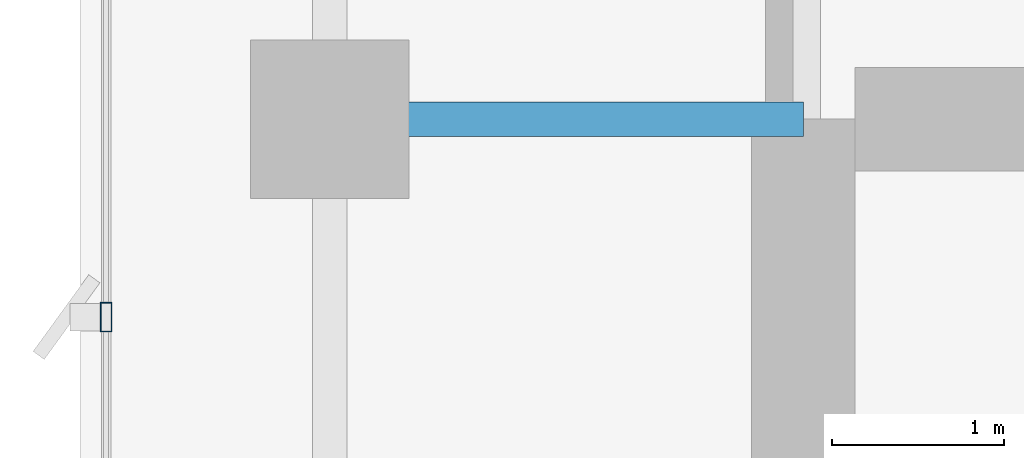
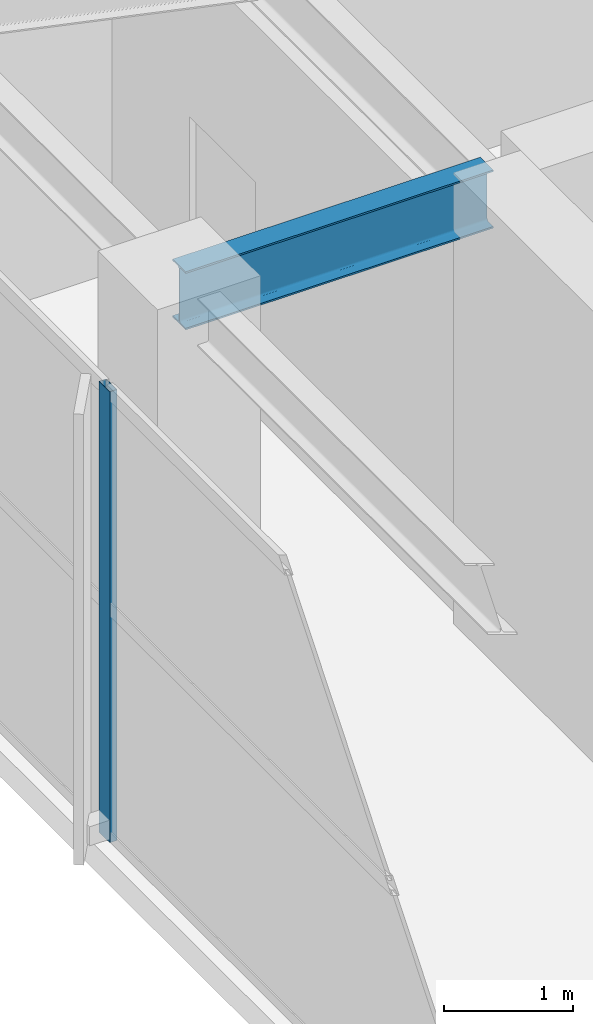
# One storey, part 14 of 25: 1 beam, 1 member, 1 element without a shape of its own.
"""IFC4 building model written with IfcOpenShell, lengths in metres."""

from ifc_helpers import new_model, si_unit, direction, frame, origin, origin_2d, place, context, subcontext, project, spatial, hollow_rectangle, i_section, extrude, material, layer, layer_set, material_profile, profile_set, type_object, element, aggregate, save


model = new_model("IFC4")

# Units and contexts
model_context = context("Model", 3, precision=1e-05, world=origin(), true_north=direction((0.0, 1.0)))
body_context = subcontext(model_context, "Body", "Model", "MODEL_VIEW")
ifc_project = project(units=[si_unit("LENGTHUNIT", "METRE"), si_unit("AREAUNIT", "SQUARE_METRE"), si_unit("VOLUMEUNIT", "CUBIC_METRE"), si_unit("PLANEANGLEUNIT", "RADIAN"), si_unit("MASSUNIT", "GRAM", prefix="KILO")], contexts=[model_context])

# Site, building, storey
site_placement = place(None, origin())
site = spatial("IfcSite", under=ifc_project, at=site_placement, CompositionType="ELEMENT")
building_placement = place(site_placement, origin())
building = spatial("IfcBuilding", under=site, at=building_placement, Name="Calvorn Quay Hotel", CompositionType="ELEMENT")
storey_placement = place(building_placement, frame((0.0, 0.0, 311.5)))
storey = spatial("IfcBuildingStorey", under=building, at=storey_placement, Name="L77", CompositionType="ELEMENT", Elevation=311.5)

# Beam
ifc_material_1 = material(Name="Steel Q355B", Category="steel")
ifc_material_profile_1 = material_profile(ifc_material_1, i_section(OverallWidth=0.199951171875, OverallDepth=0.550048828125, WebThickness=0.010009765625, FlangeThickness=0.01611328125, FilletRadius=0.01806640625, at=origin_2d()), Name="HN550x200x10x16")
ifc_profile_set_1 = profile_set([ifc_material_profile_1], Name="Steel Q355B")
beam_type = type_object("IfcBeamType", Name="BM-GIRD-UPP", PredefinedType="BEAM", material=ifc_profile_set_1)
beam_placement = place(storey_placement, frame((1.449951171875, 38.39990234375, 3.965087890625), z_axis=(1.0, 0.0, 0.0), x_axis=(0.0, 1.0, 0.0)))
element("IfcBeam", 1, at=beam_placement, inside=storey, type_object=beam_type, Name="Beam BG-L77-W3", PredefinedType="BEAM", context=body_context, shape_type="SweptSolid", body=[
    extrude(i_section(OverallWidth=0.199951171875, OverallDepth=0.550048828125, WebThickness=0.010009765625, FlangeThickness=0.01611328125, FilletRadius=0.01806640625, at=origin_2d()), origin(), (0.0, 0.0, 1.0), 2.75),
])

# Curtain wall, member
ifc_material_2 = material(Name="Champagne Bronze Anodised Aluminium and Low-E Glass", Category="aluminium")
ifc_layer = layer(ifc_material_2, 0.219970703125)
ifc_layer_set = layer_set([ifc_layer], Name="CW-SYS-Z4")
curtain_wall_type = type_object("IfcCurtainWallType", Name="CW-SYS-Z4", PredefinedType="NOTDEFINED", material=ifc_layer_set)
curtain_wall_placement = place(storey_placement, origin())
curtain_wall = element("IfcCurtainWall", 2, at=curtain_wall_placement, inside=storey, type_object=curtain_wall_type, Name="Tower West Curtain Wall (L77)", PredefinedType="NOTDEFINED")
ifc_material_3 = material(Name="Champagne Bronze Anodised Aluminium 6063-T6", Category="aluminium")
ifc_material_profile_2 = material_profile(ifc_material_3, hollow_rectangle(XDim=0.06494140625, YDim=0.169921875, WallThickness=0.00341796875, at=origin_2d()), Name="ALU-M170x65x3.5")
ifc_profile_set_2 = profile_set([ifc_material_profile_2], Name="Champagne Bronze Anodised Aluminium 6063-T6")
member_type = type_object("IfcMemberType", Name="CW-SYS-Z4-MUL", PredefinedType="MULLION", material=ifc_profile_set_2)
member_placement = place(storey_placement, frame((0.14990234375, 37.25, 0.0), z_axis=(0.0, 0.0, 1.0), x_axis=(-1.0, 0.0, 0.0)))
member = element("IfcMember", 3, at=member_placement, type_object=member_type, Name="CW-L77-W mullion 4", PredefinedType="MULLION", context=body_context, shape_type="SweptSolid", body=[
    extrude(hollow_rectangle(XDim=0.06494140625, YDim=0.169921875, WallThickness=0.00341796875, at=origin_2d()), origin(), (0.0, 0.0, 1.0), 4.260009765625),
])
aggregate(curtain_wall, [member])

save(model, "model.ifc")
